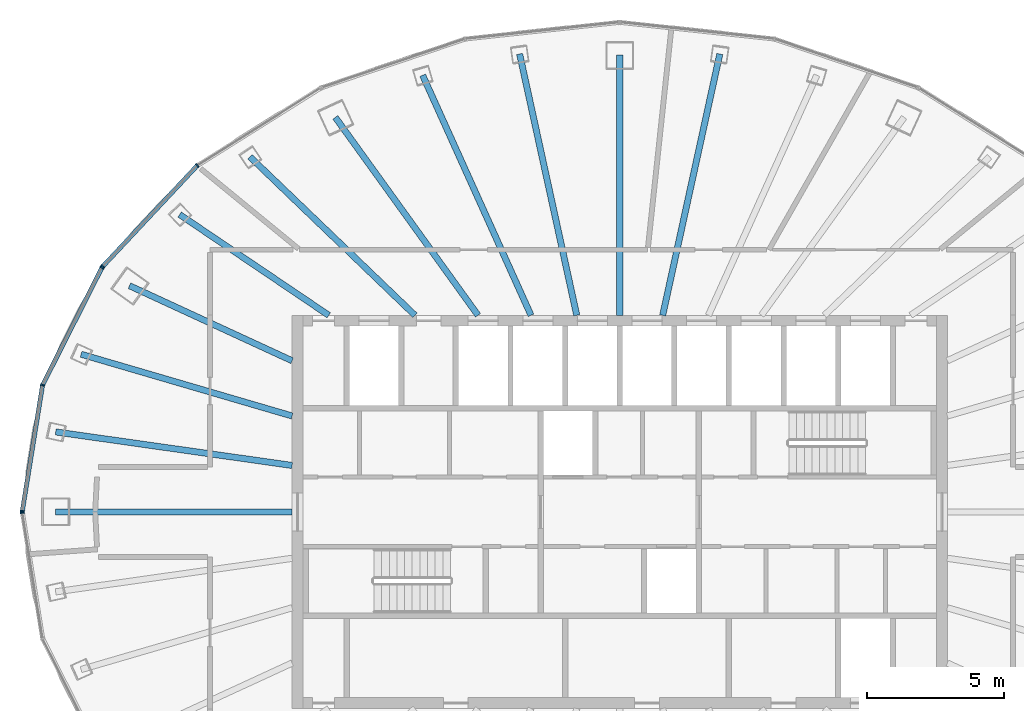
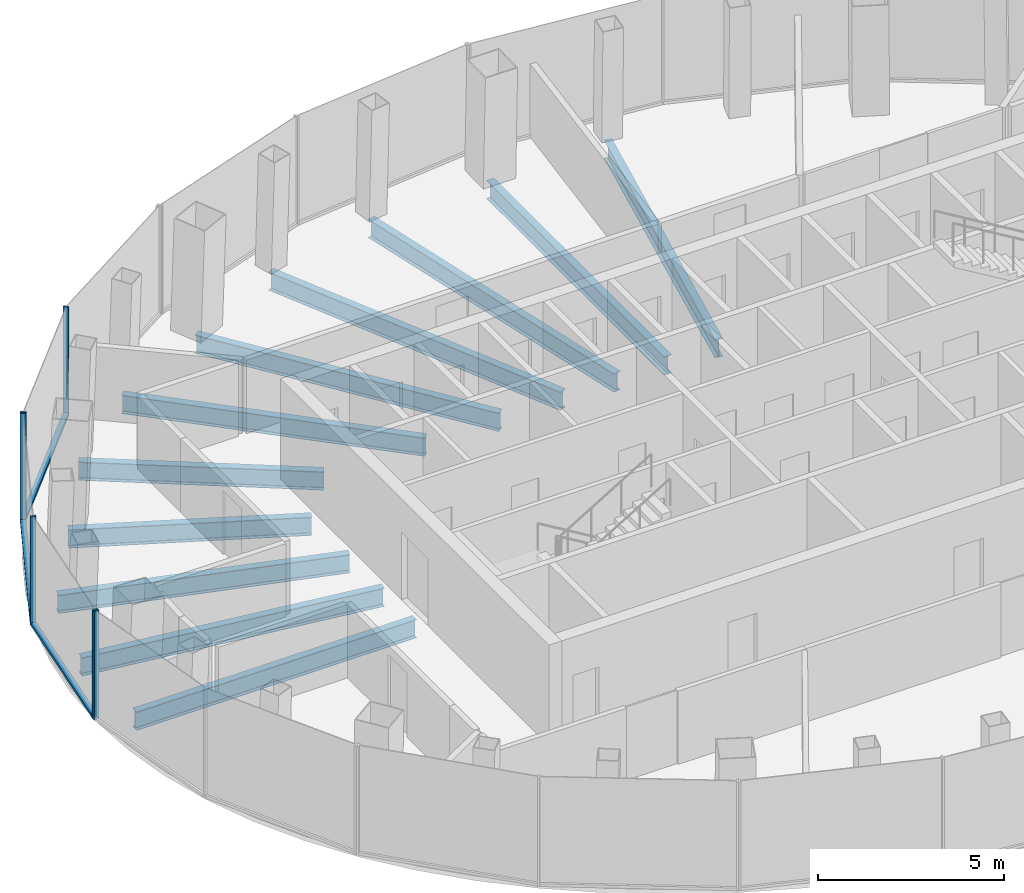
# One storey, part 4 of 11: 11 beams, 9 members, 3 elements without a shape of their own.
"""IFC4 building model written with IfcOpenShell, lengths in metres."""

from ifc_helpers import new_model, si_unit, direction, frame, origin, origin_2d, place, context, subcontext, project, spatial, rectangle, i_section, extrude, material, layer, layer_set, material_profile, profile_set, type_object, element, aggregate, save


model = new_model("IFC4")

# Units and contexts
model_context = context("Model", 3, precision=1e-05, world=origin(), true_north=direction((0.0, 1.0)))
body_context = subcontext(model_context, "Body", "Model", "MODEL_VIEW")
ifc_project = project(units=[si_unit("LENGTHUNIT", "METRE"), si_unit("AREAUNIT", "SQUARE_METRE"), si_unit("VOLUMEUNIT", "CUBIC_METRE"), si_unit("PLANEANGLEUNIT", "RADIAN"), si_unit("MASSUNIT", "GRAM", prefix="KILO")], contexts=[model_context])

# Site, building, storey
site_placement = place(None, origin())
site = spatial("IfcSite", under=ifc_project, at=site_placement, CompositionType="ELEMENT")
building_placement = place(site_placement, origin())
building = spatial("IfcBuilding", under=site, at=building_placement, Name="Siaravel Broadcast Tower", CompositionType="ELEMENT")
storey_placement = place(building_placement, frame((0.0, 0.0, 224.5)))
storey = spatial("IfcBuildingStorey", under=building, at=storey_placement, Name="L54", CompositionType="ELEMENT", Elevation=224.5)

# Beams
ifc_material_1 = material(Name="Steel S355", Category="steel")
ifc_material_profile_1 = material_profile(ifc_material_1, i_section(OverallWidth=0.2275390625, OverallDepth=0.6025390625, WebThickness=0.010498046875, FlangeThickness=0.014892578125, FilletRadius=0.0126953125, at=origin_2d()))
ifc_profile_set_1 = profile_set([ifc_material_profile_1], Name="Steel S355")
beam_type = type_object("IfcBeamType", Name="BM-UB 610x229x101", PredefinedType="BEAM", material=ifc_profile_set_1)
beam_1_placement = place(storey_placement, frame((3.666259765625, 16.77099609375, -0.451416015625), z_axis=(-0.213562361, -0.976929433, 0.0), x_axis=(0.976929433, -0.213562361, 0.0)))
element("IfcBeam", 1, at=beam_1_placement, inside=storey, type_object=beam_type, Name="Radial beam RB09", PredefinedType="BEAM", context=body_context, shape_type="SweptSolid", body=[
    extrude(i_section(OverallWidth=0.2275390625, OverallDepth=0.6025390625, WebThickness=0.010498046875, FlangeThickness=0.014892578125, FilletRadius=0.0126953125, at=origin_2d()), origin(), (0.0, 0.0, 1.0), 9.797119140625),
])
beam_2_placement = place(storey_placement, frame((0.0, 16.73388671875, -0.451416015625), z_axis=(0.0, -1.0, 0.0), x_axis=(1.0, 0.0, 0.0)))
element("IfcBeam", 2, at=beam_2_placement, inside=storey, type_object=beam_type, Name="Radial beam RB10", PredefinedType="BEAM", context=body_context, shape_type="SweptSolid", body=[
    extrude(i_section(OverallWidth=0.2275390625, OverallDepth=0.6025390625, WebThickness=0.010498046875, FlangeThickness=0.014892578125, FilletRadius=0.0126953125, at=origin_2d()), origin(), (0.0, 0.0, 1.0), 9.533935546875),
])
beam_3_placement = place(storey_placement, frame((-3.666259765625, 16.77099609375, -0.451416015625), z_axis=(0.213562361, -0.976929433, 0.0), x_axis=(0.976929433, 0.213562361, 0.0)))
element("IfcBeam", 3, at=beam_3_placement, inside=storey, type_object=beam_type, Name="Radial beam RB11", PredefinedType="BEAM", context=body_context, shape_type="SweptSolid", body=[
    extrude(i_section(OverallWidth=0.2275390625, OverallDepth=0.6025390625, WebThickness=0.010498046875, FlangeThickness=0.014892578125, FilletRadius=0.0126953125, at=origin_2d()), origin(), (0.0, 0.0, 1.0), 9.797119140625),
])
beam_4_placement = place(storey_placement, frame((-7.218017578125, 15.99169921875, -0.451416015625), z_axis=(0.41139683, -0.911456334, 0.0), x_axis=(0.911456334, 0.41139683, 0.0)))
element("IfcBeam", 4, at=beam_4_placement, inside=storey, type_object=beam_type, Name="Radial beam RB12", PredefinedType="BEAM", context=body_context, shape_type="SweptSolid", body=[
    extrude(i_section(OverallWidth=0.2275390625, OverallDepth=0.6025390625, WebThickness=0.010498046875, FlangeThickness=0.014892578125, FilletRadius=0.0126953125, at=origin_2d()), origin(), (0.0, 0.0, 1.0), 9.645751953125),
])
beam_5_placement = place(storey_placement, frame((-10.415771484375, 14.4501953125, -0.451416015625), z_axis=(0.58473929, -0.811221279, 0.0), x_axis=(0.811221279, 0.58473929, 0.0)))
element("IfcBeam", 5, at=beam_5_placement, inside=storey, type_object=beam_type, Name="Radial beam RB13", PredefinedType="BEAM", context=body_context, shape_type="SweptSolid", body=[
    extrude(i_section(OverallWidth=0.2275390625, OverallDepth=0.6025390625, WebThickness=0.010498046875, FlangeThickness=0.014892578125, FilletRadius=0.0126953125, at=origin_2d()), origin(), (0.0, 0.0, 1.0), 8.9375),
])
beam_6_placement = place(storey_placement, frame((-13.541748046875, 13.002197265625, -0.451416015625), z_axis=(0.721327918, -0.692593701, 0.0), x_axis=(0.692593701, 0.721327918, 0.0)))
element("IfcBeam", 6, at=beam_6_placement, inside=storey, type_object=beam_type, Name="Radial beam RB14", PredefinedType="BEAM", context=body_context, shape_type="SweptSolid", body=[
    extrude(i_section(OverallWidth=0.2275390625, OverallDepth=0.6025390625, WebThickness=0.010498046875, FlangeThickness=0.014892578125, FilletRadius=0.0126953125, at=origin_2d()), origin(), (0.0, 0.0, 1.0), 8.37744140625),
])
beam_7_placement = place(storey_placement, frame((-16.11962890625, 10.890869140625, -0.451416015625), z_axis=(0.828604754, -0.559834048, 0.0), x_axis=(0.559834048, 0.828604754, 0.0)))
element("IfcBeam", 7, at=beam_7_placement, inside=storey, type_object=beam_type, Name="Radial beam RB15", PredefinedType="BEAM", context=body_context, shape_type="SweptSolid", body=[
    extrude(i_section(OverallWidth=0.2275390625, OverallDepth=0.6025390625, WebThickness=0.010498046875, FlangeThickness=0.014892578125, FilletRadius=0.0126953125, at=origin_2d()), origin(), (0.0, 0.0, 1.0), 6.5927734375),
])
beam_8_placement = place(storey_placement, frame((-17.9560546875, 8.283203125, -0.451416015625), z_axis=(0.908039983, -0.418883504, 0.0), x_axis=(0.418883504, 0.908039983, 0.0)))
element("IfcBeam", 8, at=beam_8_placement, inside=storey, type_object=beam_type, Name="Radial beam RB16", PredefinedType="BEAM", context=body_context, shape_type="SweptSolid", body=[
    extrude(i_section(OverallWidth=0.2275390625, OverallDepth=0.6025390625, WebThickness=0.010498046875, FlangeThickness=0.014892578125, FilletRadius=0.0126953125, at=origin_2d()), origin(), (0.0, 0.0, 1.0), 6.559326171875),
])
beam_9_placement = place(storey_placement, frame((-19.72802734375, 5.774658203125, -0.451416015625), z_axis=(0.959734018, -0.280910333, 0.0), x_axis=(0.280910333, 0.959734018, 0.0)))
element("IfcBeam", 9, at=beam_9_placement, inside=storey, type_object=beam_type, Name="Radial beam RB17", PredefinedType="BEAM", context=body_context, shape_type="SweptSolid", body=[
    extrude(i_section(OverallWidth=0.2275390625, OverallDepth=0.6025390625, WebThickness=0.010498046875, FlangeThickness=0.014892578125, FilletRadius=0.0126953125, at=origin_2d()), origin(), (0.0, 0.0, 1.0), 8.05224609375),
])
beam_10_placement = place(storey_placement, frame((-20.6591796875, 2.928466796875, -0.451416015625), z_axis=(0.990100782, -0.140358259, 0.0), x_axis=(0.140358259, 0.990100782, 0.0)))
element("IfcBeam", 10, at=beam_10_placement, inside=storey, type_object=beam_type, Name="Radial beam RB18", PredefinedType="BEAM", context=body_context, shape_type="SweptSolid", body=[
    extrude(i_section(OverallWidth=0.2275390625, OverallDepth=0.6025390625, WebThickness=0.010498046875, FlangeThickness=0.014892578125, FilletRadius=0.0126953125, at=origin_2d()), origin(), (0.0, 0.0, 1.0), 8.745849609375),
])
beam_11_placement = place(storey_placement, frame((-20.672119140625, 0.0, -0.451416015625), z_axis=(1.0, 0.0, 0.0), x_axis=(0.0, 1.0, 0.0)))
element("IfcBeam", 11, at=beam_11_placement, inside=storey, type_object=beam_type, Name="Radial beam RB19", PredefinedType="BEAM", context=body_context, shape_type="SweptSolid", body=[
    extrude(i_section(OverallWidth=0.2275390625, OverallDepth=0.6025390625, WebThickness=0.010498046875, FlangeThickness=0.014892578125, FilletRadius=0.0126953125, at=origin_2d()), origin(), (0.0, 0.0, 1.0), 8.672119140625),
])

# Curtain wall, members
ifc_material_2 = material(Name="Aluminium 6063-T6", Category="aluminium")
ifc_layer = layer(ifc_material_2, 0.159912109375)
ifc_layer_set = layer_set([ifc_layer], Name="Aluminium 6063-T6")
curtain_wall_type = type_object("IfcCurtainWallType", Name="Unitised curtain wall, zone 4", PredefinedType="NOTDEFINED", material=ifc_layer_set)
curtain_wall_1_placement = place(storey_placement, origin())
curtain_wall_1 = element("IfcCurtainWall", 12, at=curtain_wall_1_placement, inside=storey, type_object=curtain_wall_type, Name="L54 Unitised curtain wall, zone 4 05", PredefinedType="NOTDEFINED")
ifc_material_profile_2 = material_profile(ifc_material_2, rectangle(XDim=0.159912109375, YDim=0.054931640625, at=origin_2d()))
ifc_profile_set_2 = profile_set([ifc_material_profile_2], Name="Aluminium 6063-T6")
member_type_1 = type_object("IfcMemberType", Name="CW-Z4 mullion", PredefinedType="MULLION", material=ifc_profile_set_2)
member_1_placement = place(storey_placement, frame((-15.47216796875, 12.686279296875, 0.0), z_axis=(0.0, 0.0, 1.0), x_axis=(0.636219575, -0.771508038, 0.0)))
member_1 = element("IfcMember", 13, at=member_1_placement, type_object=member_type_1, Name="CW-Z4 mullion 2", PredefinedType="MULLION", context=body_context, shape_type="SweptSolid", body=[
    extrude(rectangle(XDim=0.159912109375, YDim=0.054931640625, at=origin_2d()), origin(), (0.0, 0.0, 1.0), 3.550048828125),
])
member_2_placement = place(storey_placement, frame((-18.932861328125, 8.991943359375, 0.0), z_axis=(0.0, 0.0, 1.0), x_axis=(0.729806178, -0.68365411, 0.0)))
member_2 = element("IfcMember", 14, at=member_2_placement, type_object=member_type_1, Name="CW-Z4 mullion 3", PredefinedType="MULLION", context=body_context, shape_type="SweptSolid", body=[
    extrude(rectangle(XDim=0.159912109375, YDim=0.054931640625, at=origin_2d()), origin(), (0.0, 0.0, 1.0), 3.550048828125),
])

curtain_wall_2_placement = place(storey_placement, origin())
curtain_wall_2 = element("IfcCurtainWall", 15, at=curtain_wall_2_placement, inside=storey, type_object=curtain_wall_type, Name="L54 Unitised curtain wall, zone 4 06", PredefinedType="NOTDEFINED")
member_3_placement = place(storey_placement, frame((-18.964111328125, 8.947509765625, 0.0), z_axis=(0.0, 0.0, 1.0), x_axis=(0.892392673, -0.451259701, 0.0)))
member_3 = element("IfcMember", 16, at=member_3_placement, type_object=member_type_1, Name="CW-Z4 mullion 1", PredefinedType="MULLION", context=body_context, shape_type="SweptSolid", body=[
    extrude(rectangle(XDim=0.159912109375, YDim=0.054931640625, at=origin_2d()), origin(), (0.0, 0.0, 1.0), 3.550048828125),
])
member_4_placement = place(storey_placement, frame((-21.1396484375, 4.64501953125, 0.0), z_axis=(0.0, 0.0, 1.0), x_axis=(0.951177504, -0.308644385, 0.0)))
member_4 = element("IfcMember", 17, at=member_4_placement, type_object=member_type_1, Name="CW-Z4 mullion 2", PredefinedType="MULLION", context=body_context, shape_type="SweptSolid", body=[
    extrude(rectangle(XDim=0.159912109375, YDim=0.054931640625, at=origin_2d()), origin(), (0.0, 0.0, 1.0), 3.550048828125),
])
member_5_placement = place(storey_placement, frame((-21.8818359375, 0.027099609375, 0.0), z_axis=(0.0, 0.0, 1.0), x_axis=(0.987329271, -0.158684943, 0.0)))
member_5 = element("IfcMember", 18, at=member_5_placement, type_object=member_type_1, Name="CW-Z4 mullion 3", PredefinedType="MULLION", context=body_context, shape_type="SweptSolid", body=[
    extrude(rectangle(XDim=0.159912109375, YDim=0.054931640625, at=origin_2d()), origin(), (0.0, 0.0, 1.0), 3.550048828125),
])

# Curtain wall, member
curtain_wall_3_placement = place(storey_placement, origin())
curtain_wall_3 = element("IfcCurtainWall", 19, at=curtain_wall_3_placement, inside=storey, type_object=curtain_wall_type, Name="L54 Unitised curtain wall, zone 4 07", PredefinedType="NOTDEFINED")
member_6_placement = place(storey_placement, frame((-21.8818359375, -0.027099609375, 0.0), z_axis=(0.0, 0.0, 1.0), x_axis=(0.987329271, 0.158684943, 0.0)))
member_6 = element("IfcMember", 20, at=member_6_placement, type_object=member_type_1, Name="CW-Z4 mullion 1", PredefinedType="MULLION", context=body_context, shape_type="SweptSolid", body=[
    extrude(rectangle(XDim=0.159912109375, YDim=0.054931640625, at=origin_2d()), origin(), (0.0, 0.0, 1.0), 3.550048828125),
])
aggregate(curtain_wall_3, [member_6])

# Member
ifc_material_profile_3 = material_profile(ifc_material_2, rectangle(XDim=0.159912109375, YDim=0.090087890625, at=origin_2d()))
ifc_profile_set_3 = profile_set([ifc_material_profile_3], Name="Aluminium 6063-T6")
member_type_2 = type_object("IfcMemberType", Name="CW-Z4 transom", PredefinedType="USERDEFINED", material=ifc_profile_set_3)
member_7_placement = place(storey_placement, frame((-15.490966796875, 12.666015625, 0.044921875), z_axis=(-0.683691298, -0.72977134, 0.0), x_axis=(0.72977134, -0.683691298, 0.0)))
member_7 = element("IfcMember", 21, at=member_7_placement, type_object=member_type_2, Name="CW-Z4 transom 2", ObjectType="TRANSOM", PredefinedType="USERDEFINED", context=body_context, shape_type="SweptSolid", body=[
    extrude(rectangle(XDim=0.159912109375, YDim=0.090087890625, at=origin_2d()), origin(), (0.0, 0.0, 1.0), 5.0068359375),
])

aggregate(curtain_wall_1, [member_1, member_2, member_7])

member_8_placement = place(storey_placement, frame((-18.976318359375, 8.9228515625, 0.044921875), z_axis=(-0.451265777, -0.8923896, 0.0), x_axis=(0.8923896, -0.451265777, 0.0)))
member_8 = element("IfcMember", 22, at=member_8_placement, type_object=member_type_2, Name="CW-Z4 transom 1", ObjectType="TRANSOM", PredefinedType="USERDEFINED", context=body_context, shape_type="SweptSolid", body=[
    extrude(rectangle(XDim=0.159912109375, YDim=0.090087890625, at=origin_2d()), origin(), (0.0, 0.0, 1.0), 4.766357421875),
])

member_9_placement = place(storey_placement, frame((-21.14404296875, 4.61767578125, 0.044921875), z_axis=(-0.158674417, -0.987330962, 0.0), x_axis=(0.987330962, -0.158674417, 0.0)))
member_9 = element("IfcMember", 23, at=member_9_placement, type_object=member_type_2, Name="CW-Z4 transom 2", ObjectType="TRANSOM", PredefinedType="USERDEFINED", context=body_context, shape_type="SweptSolid", body=[
    extrude(rectangle(XDim=0.159912109375, YDim=0.090087890625, at=origin_2d()), origin(), (0.0, 0.0, 1.0), 4.6220703125),
])

aggregate(curtain_wall_2, [member_3, member_4, member_5, member_8, member_9])

save(model, "model.ifc")
